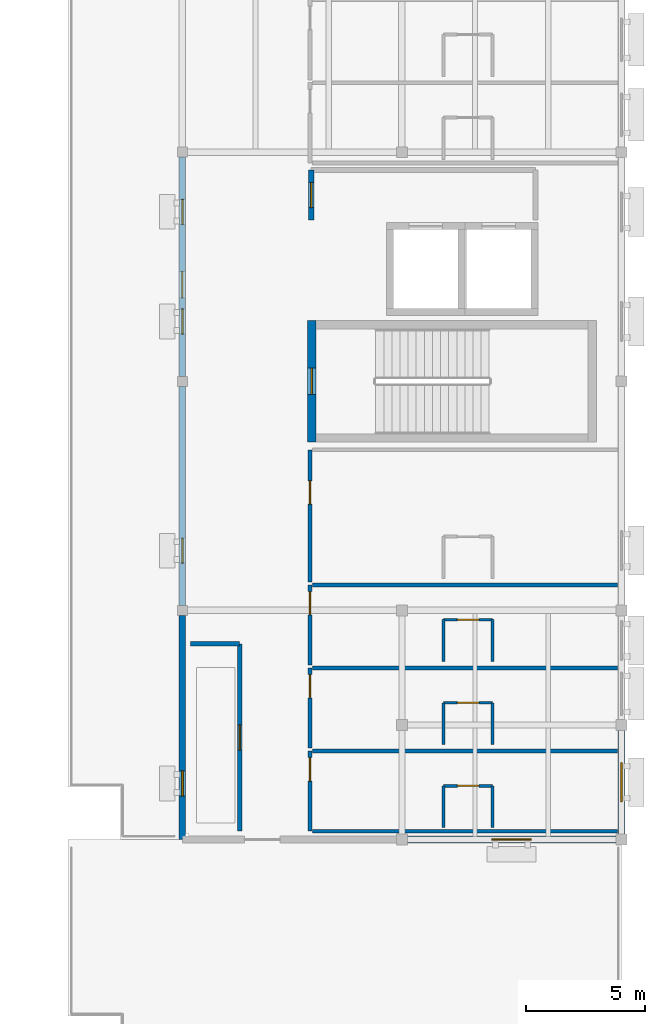
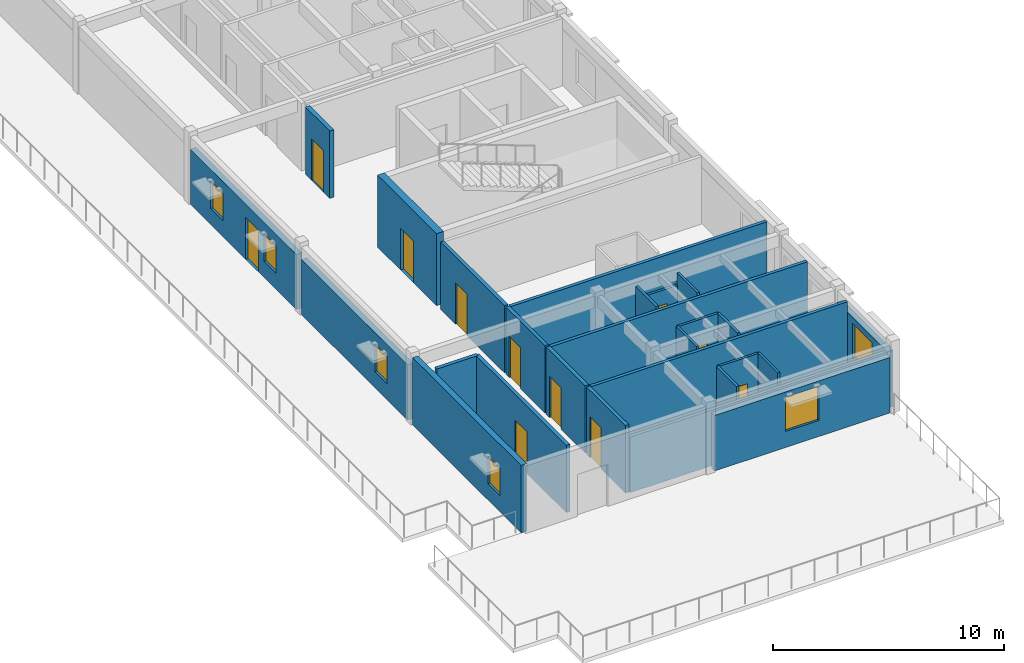
# One storey, part 5 of 18: 26 walls, 11 doors, 6 windows, 17 openings.
"""IFC4 building model written with IfcOpenShell, lengths in metres."""

import ifcopenshell
import ifcopenshell.guid

model = None  # the IFC model being written
_history = None  # IfcOwnerHistory: only IFC2X3 demands one
_inside = {}  # id of a spatial element -> (the spatial element, [elements in it])
_under = {}  # id of a project, library or spatial element -> (it, [spatial elements below it])
_declared = {}  # id of a project -> (the project, [libraries it declares])
_typed = {}  # id of a type object -> (the type object, [elements of that type])
_made_of = {}  # id of a material, layer set ... -> (it, [elements and type objects made of it])


def new_model(schema):
    """Start an empty IFC model of exactly this schema.

    Asked for "IFC4X3", IfcOpenShell would pick the latest addendum, in which some entities
    have other attributes; the version numbers below select the first issue.
    IFC2X3 requires an IfcOwnerHistory on every rooted entity: one is made here for all.
    """
    global model, _history
    if schema == "IFC4X3":
        model = ifcopenshell.file(schema_version=(4, 3, 0, 0))
    else:
        model = ifcopenshell.file(schema=schema)
    _inside.clear()
    _under.clear()
    _declared.clear()
    _typed.clear()
    _made_of.clear()
    _history = None
    if model.schema == "IFC2X3":
        org = make("IfcOrganization", Name="unknown")
        user = make(
            "IfcPersonAndOrganization",
            ThePerson=make("IfcPerson", FamilyName="unknown"),
            TheOrganization=org,
        )
        app = make(
            "IfcApplication",
            ApplicationDeveloper=org,
            Version="unknown",
            ApplicationFullName="unknown",
            ApplicationIdentifier="unknown",
        )
        _history = make(
            "IfcOwnerHistory",
            OwningUser=user,
            OwningApplication=app,
            ChangeAction="ADDED",
            CreationDate=0,
        )
    return model


def make(cls, **values):
    """One entity of the class cls with the attributes given. An attribute that is None is left unset."""
    return model.create_entity(
        cls, **{name: value for name, value in values.items() if value is not None}
    )


def rooted(cls, **values):
    """An entity with a GlobalId (a new one), such as an element, a storey or a relation."""
    return make(cls, GlobalId=ifcopenshell.guid.new(), OwnerHistory=_history, **values)


def si_unit(unit_type, name, prefix=None):
    """IfcSIUnit, for example si_unit("LENGTHUNIT", "METRE", prefix="MILLI")."""
    return make("IfcSIUnit", UnitType=unit_type, Prefix=prefix, Name=name)


def assignment(units):
    """IfcUnitAssignment: the units of a project."""
    return None if units is None else make("IfcUnitAssignment", Units=units)


def point(xyz):
    """IfcCartesianPoint."""
    return None if xyz is None else make("IfcCartesianPoint", Coordinates=xyz)


def direction(xyz):
    """IfcDirection."""
    return None if xyz is None else make("IfcDirection", DirectionRatios=xyz)


def frame(location, z_axis=None, x_axis=None):
    """IfcAxis2Placement3D, a coordinate frame: its origin and axes. An axis left out is left unset."""
    return make(
        "IfcAxis2Placement3D",
        Location=point(location),
        Axis=direction(z_axis),
        RefDirection=direction(x_axis),
    )


def frame_2d(location, x_axis=None):
    """IfcAxis2Placement2D, a coordinate frame in the plane: its origin and x axis."""
    return make(
        "IfcAxis2Placement2D", Location=point(location), RefDirection=direction(x_axis)
    )


def origin():
    """The frame at (0, 0, 0) with its axes left unset."""
    return frame((0.0, 0.0, 0.0))


def place(relative_to, where):
    """IfcLocalPlacement: puts the frame where relative to a parent placement (None: the world)."""
    return make(
        "IfcLocalPlacement", PlacementRelTo=relative_to, RelativePlacement=where
    )


def context(
    kind, dimensions, precision=None, world=None, true_north=None, identifier=None
):
    """IfcGeometricRepresentationContext, for example the 3D "Model" context."""
    return make(
        "IfcGeometricRepresentationContext",
        ContextIdentifier=identifier,
        ContextType=kind,
        CoordinateSpaceDimension=dimensions,
        Precision=precision,
        WorldCoordinateSystem=world,
        TrueNorth=true_north,
    )


def subcontext(parent, identifier, kind, view, scale=None):
    """IfcGeometricRepresentationSubContext, for example "Body" below "Model"."""
    return make(
        "IfcGeometricRepresentationSubContext",
        ContextIdentifier=identifier,
        ContextType=kind,
        ParentContext=parent,
        TargetScale=scale,
        TargetView=view,
    )


def project(units=None, contexts=None):
    """IfcProject with its units and contexts."""
    return rooted(
        "IfcProject",
        Name="project",
        RepresentationContexts=contexts,
        UnitsInContext=assignment(units),
    )


def spatial(cls, under=None, at=None, **own):
    """A site, building, storey or space (cls), placed at a placement, below another one or the project."""
    s = rooted(cls, ObjectPlacement=at, **own)
    if under is not None:
        _under.setdefault(under.id(), (under, []))[1].append(s)
    return s


def profile(cls, at=None, kind="AREA", **sizes):
    """A parametric profile (cls). Its sizes go by their IFC names, for example OverallWidth=200.0."""
    return make(cls, ProfileType=kind, Position=at, **sizes)


def rectangle(**sizes):
    """IfcRectangleProfileDef."""
    return profile("IfcRectangleProfileDef", **sizes)


def extrude(swept, where, along, depth):
    """IfcExtrudedAreaSolid: the profile swept, set in the frame where, extruded along a direction by depth."""
    return make(
        "IfcExtrudedAreaSolid",
        SweptArea=swept,
        Position=where,
        ExtrudedDirection=direction(along),
        Depth=depth,
    )


def shape(context_of_items, identifier, shape_type, items):
    """IfcShapeRepresentation: the items that make up one representation, for example the "Body"."""
    return make(
        "IfcShapeRepresentation",
        ContextOfItems=context_of_items,
        RepresentationIdentifier=identifier,
        RepresentationType=shape_type,
        Items=items,
    )


def material(Name=None, Category=None):
    """IfcMaterial."""
    return make("IfcMaterial", Name=Name, Category=Category)


def layer(
    of_material, thickness, ventilated=None, Name=None, Category=None, Priority=None
):
    """IfcMaterialLayer: one layer of a wall or slab, of a material (None: an air gap)."""
    return make(
        "IfcMaterialLayer",
        Material=of_material,
        LayerThickness=thickness,
        IsVentilated=ventilated,
        Name=Name,
        Category=Category,
        Priority=Priority,
    )


def layer_set(layers, Name=None):
    """IfcMaterialLayerSet."""
    return make("IfcMaterialLayerSet", MaterialLayers=layers, LayerSetName=Name)


def made_of(thing, what):
    """Note that an element or type object is made of a material, layer set ...; save() writes the relation."""
    if what is not None:
        _made_of.setdefault(what.id(), (what, []))[1].append(thing)
    return thing


def type_object(cls, material=None, **own):
    """A type object (cls), such as IfcWallType, which elements share."""
    return made_of(rooted(cls, **own), material)


def element(
    cls,
    number,
    at=None,
    inside=None,
    cuts=None,
    type_object=None,
    material=None,
    context=None,
    identifier="Body",
    shape_type=None,
    held_by="IfcProductDefinitionShape",
    body=None,
    shapes=None,
    **own,
):
    """One element of the class cls, such as IfcWall. Its Tag is "e" and its number.

    at: its placement. inside: the storey or other place that contains it. cuts: it is an
    opening in that element (IfcRelVoidsElement). A single representation is given by context,
    identifier, shape_type and body (its items); several are given by shapes. held_by: the class
    of the entity that holds the representations. save() writes the other relations.
    """
    e = rooted(cls, Tag="e%d" % number, ObjectPlacement=at, **own)
    if body is not None:
        shapes = [shape(context, identifier, shape_type, body)]
    if shapes is not None:
        e.Representation = make(held_by, Representations=shapes)
    if inside is not None:
        _inside.setdefault(inside.id(), (inside, []))[1].append(e)
    if cuts is not None:
        rooted(
            "IfcRelVoidsElement", RelatingBuildingElement=cuts, RelatedOpeningElement=e
        )
    if type_object is not None:
        _typed.setdefault(type_object.id(), (type_object, []))[1].append(e)
    return made_of(e, material)


def fill(opening, filler):
    """IfcRelFillsElement: the door or window that sits in an opening."""
    return rooted(
        "IfcRelFillsElement",
        RelatingOpeningElement=opening,
        RelatedBuildingElement=filler,
    )


def aggregate(whole, parts):
    """IfcRelAggregates: a whole, such as a stair, and the parts it consists of."""
    return rooted("IfcRelAggregates", RelatingObject=whole, RelatedObjects=parts)


def save(model, path):
    """Write the relations noted so far, then the file.

    IfcRelAggregates (storeys below a building ...), IfcRelContainedInSpatialStructure (elements
    in a storey), IfcRelDefinesByType, IfcRelAssociatesMaterial and IfcRelDeclares: one each for
    every whole, place, type object, material and project.
    """
    for whole, parts in _under.values():
        aggregate(whole, parts)
    for where, things in _inside.values():
        rooted(
            "IfcRelContainedInSpatialStructure",
            RelatedElements=things,
            RelatingStructure=where,
        )
    for kind, things in _typed.values():
        rooted("IfcRelDefinesByType", RelatedObjects=things, RelatingType=kind)
    for what, things in _made_of.values():
        rooted("IfcRelAssociatesMaterial", RelatedObjects=things, RelatingMaterial=what)
    for by, libraries in _declared.values():
        rooted("IfcRelDeclares", RelatingContext=by, RelatedDefinitions=libraries)
    model.write(path)


model = new_model("IFC4")

# Units and contexts
model_context = context("Model", 3, precision=1e-05, world=origin(), true_north=direction((0.0, 1.0)))
body_context = subcontext(model_context, "Body", "Model", "MODEL_VIEW")
ifc_project = project(units=[si_unit("LENGTHUNIT", "METRE"), si_unit("AREAUNIT", "SQUARE_METRE"), si_unit("VOLUMEUNIT", "CUBIC_METRE"), si_unit("PLANEANGLEUNIT", "RADIAN"), si_unit("MASSUNIT", "GRAM", prefix="KILO")], contexts=[model_context])

# Site, building, storey
site_placement = place(None, origin())
site = spatial("IfcSite", under=ifc_project, at=site_placement, CompositionType="ELEMENT")
building_placement = place(site_placement, origin())
building = spatial("IfcBuilding", under=site, at=building_placement, Name="Veldera Park Congress Hotel", CompositionType="ELEMENT")
storey_placement = place(building_placement, frame((0.0, 0.0, 31.39990234375)))
storey = spatial("IfcBuildingStorey", under=building, at=storey_placement, Name="L07", CompositionType="ELEMENT", Elevation=31.39990234375)

# Wall, opening, window
ifc_material_1 = material(Name="Cross-laminated timber CLT V2M1.1", Category="wood")
ifc_layer_1 = layer(ifc_material_1, 0.280029296875)
ifc_layer_set_1 = layer_set([ifc_layer_1], Name="Cross-laminated timber CLT V2M1.1")
wall_type_1 = type_object("IfcWallType", Name="EW-CLT280", PredefinedType="STANDARD", material=ifc_layer_set_1)
wall_1_placement = place(storey_placement, frame((75.02294921875, -28.199951171875, 0.0), z_axis=(0.0, 0.0, 1.0), x_axis=(1.0, 0.0, 0.0)))
wall_1 = element("IfcWall", 1, at=wall_1_placement, inside=storey, type_object=wall_type_1, Name="L07 Exterior Wall EW3-L07-0341", PredefinedType="STANDARD", context=body_context, shape_type="SweptSolid", body=[
    extrude(rectangle(XDim=8.754150390625, YDim=0.280029296875, at=frame_2d((4.376953125, 0.0))), origin(), (0.0, 0.0, 1.0), 2.93017578125),
])
opening_1_placement = place(wall_1_placement, frame((3.552001953125, 0.0, 0.85009765625)))
opening_1 = element("IfcOpeningElement", 2, at=opening_1_placement, cuts=wall_1, Name="Opening WIN-1650", PredefinedType="OPENING", context=body_context, shape_type="SweptSolid", body=[
    extrude(rectangle(XDim=1.64990234375, YDim=1.800048828125, at=frame_2d((0.824951171875, 0.89990234375))), frame((0.0, 0.152099609375, 0.0), z_axis=(0.0, -1.0, 0.0), x_axis=(1.0, 0.0, 0.0)), (0.0, 0.0, 1.0), 0.303955078125),
])
ifc_material_2 = material(Name="Low-E Triple Insulating Glass Unit (SHGC 0.22)", Category="glass")
window_type_1 = type_object("IfcWindowType", Name="WIN-1650", PartitioningType="SINGLE_PANEL", PredefinedType="WINDOW", material=ifc_material_2)
window_1_placement = place(opening_1_placement, origin())
window_1 = element("IfcWindow", 3, at=window_1_placement, inside=storey, type_object=window_type_1, Name="L07 Window WIN-1650 256", OverallHeight=1.800048828125, OverallWidth=1.64990234375, PartitioningType="SINGLE_PANEL", PredefinedType="WINDOW", context=body_context, shape_type="SweptSolid", body=[
    extrude(rectangle(XDim=1.64990234375, YDim=1.800048828125, at=frame_2d((0.824951171875, 0.89990234375))), frame((0.0, 0.030029296875, 0.0), z_axis=(0.0, -1.0, 0.0), x_axis=(1.0, 0.0, 0.0)), (0.0, 0.0, 1.0), 0.06005859375),
])
fill(opening_1, window_1)

wall_2_placement = place(storey_placement, frame((84.0, -27.97705078125, 0.0), z_axis=(0.0, 0.0, 1.0), x_axis=(0.0, 1.0, 0.0)))
wall_2 = element("IfcWall", 4, at=wall_2_placement, inside=storey, type_object=wall_type_1, Name="L07 Exterior Wall EW3-L07-0342", PredefinedType="STANDARD", context=body_context, shape_type="SweptSolid", body=[
    extrude(rectangle(XDim=4.35400390625, YDim=0.280029296875, at=frame_2d((2.177001953125, 0.0))), origin(), (0.0, 0.0, 1.0), 2.97021484375),
])
opening_2_placement = place(wall_2_placement, frame((1.35205078125, 0.0, 0.85009765625)))
opening_2 = element("IfcOpeningElement", 5, at=opening_2_placement, cuts=wall_2, Name="Opening WIN-1650", PredefinedType="OPENING", context=body_context, shape_type="SweptSolid", body=[
    extrude(rectangle(XDim=1.64990234375, YDim=1.800048828125, at=frame_2d((0.824951171875, 0.89990234375))), frame((0.0, 0.152099609375, 0.0), z_axis=(0.0, -1.0, 0.0), x_axis=(1.0, 0.0, 0.0)), (0.0, 0.0, 1.0), 0.303955078125),
])
window_2_placement = place(opening_2_placement, origin())
window_2 = element("IfcWindow", 6, at=window_2_placement, inside=storey, type_object=window_type_1, Name="L07 Window WIN-1650 257", OverallHeight=1.800048828125, OverallWidth=1.64990234375, PartitioningType="SINGLE_PANEL", PredefinedType="WINDOW", context=body_context, shape_type="SweptSolid", body=[
    extrude(rectangle(XDim=1.64990234375, YDim=1.800048828125, at=frame_2d((0.824951171875, 0.89990234375))), frame((0.0, 0.030029296875, 0.0), z_axis=(0.0, -1.0, 0.0), x_axis=(1.0, 0.0, 0.0)), (0.0, 0.0, 1.0), 0.06005859375),
])
fill(opening_2, window_2)

# Wall, openings, door, windows
wall_3_placement = place(storey_placement, frame((65.60009765625, 0.39208984375, 0.0), z_axis=(0.0, 0.0, 1.0), x_axis=(0.0, -1.0, 0.0)))
wall_3 = element("IfcWall", 7, at=wall_3_placement, inside=storey, type_object=wall_type_1, Name="L07 Exterior Wall EW3-L07-0366", PredefinedType="STANDARD", context=body_context, shape_type="SweptSolid", body=[
    extrude(rectangle(XDim=9.18408203125, YDim=0.280029296875, at=frame_2d((4.592041015625, 0.0))), origin(), (0.0, 0.0, 1.0), 2.91015625),
])
opening_3_placement = place(wall_3_placement, frame((4.7919921875, 0.0, 0.0)))
opening_3 = element("IfcOpeningElement", 8, at=opening_3_placement, cuts=wall_3, Name="Opening ED-TER110", PredefinedType="OPENING", context=body_context, shape_type="SweptSolid", body=[
    extrude(rectangle(XDim=1.10009765625, YDim=2.199951171875, at=frame_2d((0.550048828125, 1.10009765625))), frame((0.0, 0.152099609375, 0.0), z_axis=(0.0, -1.0, 0.0), x_axis=(1.0, 0.0, 0.0)), (0.0, 0.0, 1.0), 0.303955078125),
])
opening_4_placement = place(wall_3_placement, frame((1.77099609375, 0.0, 0.85009765625)))
opening_4 = element("IfcOpeningElement", 9, at=opening_4_placement, cuts=wall_3, Name="Opening WIN-1050", PredefinedType="OPENING", context=body_context, shape_type="SweptSolid", body=[
    extrude(rectangle(XDim=1.050048828125, YDim=1.449951171875, at=frame_2d((0.52490234375, 0.72509765625))), frame((0.0, 0.152099609375, 0.0), z_axis=(0.0, -1.0, 0.0), x_axis=(1.0, 0.0, 0.0)), (0.0, 0.0, 1.0), 0.303955078125),
])
opening_5_placement = place(wall_3_placement, frame((6.363037109375, 0.0, 0.85009765625)))
opening_5 = element("IfcOpeningElement", 10, at=opening_5_placement, cuts=wall_3, Name="Opening WIN-1050", PredefinedType="OPENING", context=body_context, shape_type="SweptSolid", body=[
    extrude(rectangle(XDim=1.050048828125, YDim=1.449951171875, at=frame_2d((0.52490234375, 0.72509765625))), frame((0.0, 0.152099609375, 0.0), z_axis=(0.0, -1.0, 0.0), x_axis=(1.0, 0.0, 0.0)), (0.0, 0.0, 1.0), 0.303955078125),
])
ifc_material_3 = material(Name="Anodised Aluminium Alloy 6063-T6", Category="aluminium")
door_type_1 = type_object("IfcDoorType", Name="ED-TER110", OperationType="NOTDEFINED", PredefinedType="DOOR", material=ifc_material_3)
door_1_placement = place(opening_3_placement, frame((1.10009765625, 0.0, 0.0), z_axis=(0.0, 0.0, 1.0), x_axis=(-1.0, 0.0, 0.0)))
door_1 = element("IfcDoor", 11, at=door_1_placement, inside=storey, type_object=door_type_1, Name="Exterior Door TD-L07-W (DR3-EXT-L07-0027)", OperationType="SINGLE_SWING_RIGHT", OverallHeight=2.199951171875, OverallWidth=1.10009765625, PredefinedType="DOOR", context=body_context, shape_type="SweptSolid", body=[
    extrude(rectangle(XDim=1.10009765625, YDim=2.199951171875, at=frame_2d((0.550048828125, 1.10009765625))), frame((0.0, 0.02490234375, 0.0), z_axis=(0.0, -1.0, 0.0), x_axis=(1.0, 0.0, 0.0)), (0.0, 0.0, 1.0), 0.050048828125),
])
fill(opening_3, door_1)
window_type_2 = type_object("IfcWindowType", Name="WIN-1050", PartitioningType="SINGLE_PANEL", PredefinedType="WINDOW", material=ifc_material_2)
window_3_placement = place(opening_4_placement, origin())
window_3 = element("IfcWindow", 12, at=window_3_placement, inside=storey, type_object=window_type_2, Name="L07 Window WIN-1050 278", OverallHeight=1.449951171875, OverallWidth=1.050048828125, PartitioningType="SINGLE_PANEL", PredefinedType="WINDOW", context=body_context, shape_type="SweptSolid", body=[
    extrude(rectangle(XDim=1.050048828125, YDim=1.449951171875, at=frame_2d((0.52490234375, 0.72509765625))), frame((0.0, 0.030029296875, 0.0), z_axis=(0.0, -1.0, 0.0), x_axis=(1.0, 0.0, 0.0)), (0.0, 0.0, 1.0), 0.06005859375),
])
fill(opening_4, window_3)
window_4_placement = place(opening_5_placement, origin())
window_4 = element("IfcWindow", 13, at=window_4_placement, inside=storey, type_object=window_type_2, Name="L07 Window WIN-1050 279", OverallHeight=1.449951171875, OverallWidth=1.050048828125, PartitioningType="SINGLE_PANEL", PredefinedType="WINDOW", context=body_context, shape_type="SweptSolid", body=[
    extrude(rectangle(XDim=1.050048828125, YDim=1.449951171875, at=frame_2d((0.52490234375, 0.72509765625))), frame((0.0, 0.030029296875, 0.0), z_axis=(0.0, -1.0, 0.0), x_axis=(1.0, 0.0, 0.0)), (0.0, 0.0, 1.0), 0.06005859375),
])
fill(opening_5, window_4)

# Wall, opening, window
wall_4_placement = place(storey_placement, frame((65.60009765625, -9.2080078125, 0.0), z_axis=(0.0, 0.0, 1.0), x_axis=(0.0, -1.0, 0.0)))
wall_4 = element("IfcWall", 14, at=wall_4_placement, inside=storey, type_object=wall_type_1, Name="L07 Exterior Wall EW3-L07-0367", PredefinedType="STANDARD", context=body_context, shape_type="SweptSolid", body=[
    extrude(rectangle(XDim=9.18408203125, YDim=0.280029296875, at=frame_2d((4.592041015625, 0.0))), origin(), (0.0, 0.0, 1.0), 2.91015625),
])
opening_6_placement = place(wall_4_placement, frame((6.363037109375, 0.0, 0.85009765625)))
opening_6 = element("IfcOpeningElement", 15, at=opening_6_placement, cuts=wall_4, Name="Opening WIN-1050", PredefinedType="OPENING", context=body_context, shape_type="SweptSolid", body=[
    extrude(rectangle(XDim=1.050048828125, YDim=1.449951171875, at=frame_2d((0.52490234375, 0.72509765625))), frame((0.0, 0.152099609375, 0.0), z_axis=(0.0, -1.0, 0.0), x_axis=(1.0, 0.0, 0.0)), (0.0, 0.0, 1.0), 0.303955078125),
])
window_5_placement = place(opening_6_placement, origin())
window_5 = element("IfcWindow", 16, at=window_5_placement, inside=storey, type_object=window_type_2, Name="L07 Window WIN-1050 280", OverallHeight=1.449951171875, OverallWidth=1.050048828125, PartitioningType="SINGLE_PANEL", PredefinedType="WINDOW", context=body_context, shape_type="SweptSolid", body=[
    extrude(rectangle(XDim=1.050048828125, YDim=1.449951171875, at=frame_2d((0.52490234375, 0.72509765625))), frame((0.0, 0.030029296875, 0.0), z_axis=(0.0, -1.0, 0.0), x_axis=(1.0, 0.0, 0.0)), (0.0, 0.0, 1.0), 0.06005859375),
])
fill(opening_6, window_5)

wall_5_placement = place(storey_placement, frame((65.60009765625, -18.80810546875, 0.0), z_axis=(0.0, 0.0, 1.0), x_axis=(0.0, -1.0, 0.0)))
wall_5 = element("IfcWall", 17, at=wall_5_placement, inside=storey, type_object=wall_type_1, Name="L07 Exterior Wall EW3-L07-0368", PredefinedType="STANDARD", context=body_context, shape_type="SweptSolid", body=[
    extrude(rectangle(XDim=9.391845703125, YDim=0.280029296875, at=frame_2d((4.69580078125, 0.0))), origin(), (0.0, 0.0, 1.0), 3.55517578125),
])
opening_7_placement = place(wall_5_placement, frame((6.51904296875, 0.0, 0.85009765625)))
opening_7 = element("IfcOpeningElement", 18, at=opening_7_placement, cuts=wall_5, Name="Opening WIN-1050", PredefinedType="OPENING", context=body_context, shape_type="SweptSolid", body=[
    extrude(rectangle(XDim=1.050048828125, YDim=1.449951171875, at=frame_2d((0.52490234375, 0.72509765625))), frame((0.0, 0.152099609375, 0.0), z_axis=(0.0, -1.0, 0.0), x_axis=(1.0, 0.0, 0.0)), (0.0, 0.0, 1.0), 0.303955078125),
])
window_6_placement = place(opening_7_placement, origin())
window_6 = element("IfcWindow", 19, at=window_6_placement, inside=storey, type_object=window_type_2, Name="L07 Window WIN-1050 281", OverallHeight=1.449951171875, OverallWidth=1.050048828125, PartitioningType="SINGLE_PANEL", PredefinedType="WINDOW", context=body_context, shape_type="SweptSolid", body=[
    extrude(rectangle(XDim=1.050048828125, YDim=1.449951171875, at=frame_2d((0.52490234375, 0.72509765625))), frame((0.0, 0.030029296875, 0.0), z_axis=(0.0, -1.0, 0.0), x_axis=(1.0, 0.0, 0.0)), (0.0, 0.0, 1.0), 0.06005859375),
])
fill(opening_7, window_6)

# Walls
ifc_material_4 = material(Name="Fire-Rated Gypsum Board on Cold-Formed Steel Studs", Category="steel")
ifc_layer_2 = layer(ifc_material_4, 0.1201171875)
ifc_layer_set_2 = layer_set([ifc_layer_2], Name="Fire-Rated Gypsum Board on Cold-Formed Steel Studs")
wall_type_2 = type_object("IfcWallType", Name="IW-BATH120", PredefinedType="PARTITIONING", material=ifc_layer_set_2)
for number, where, z_axis, x_axis, name in (
    (20, (76.550048828125, -27.699951171875, 0.0), (0.0, 0.0, 1.0), (0.0, 1.0, 0.0), "L07 Partition Wall IW3-L07-01377"),
    (21, (78.60009765625, -27.699951171875, 0.0), (0.0, 0.0, 1.0), (0.0, 1.0, 0.0), "L07 Partition Wall IW3-L07-01378"),
):
    element("IfcWall", number, at=place(storey_placement, frame(where, z_axis=z_axis, x_axis=x_axis)), inside=storey, type_object=wall_type_2, Name=name, PredefinedType="PARTITIONING", context=body_context, shape_type="SweptSolid", body=[
        extrude(rectangle(XDim=1.75, YDim=0.1201171875, at=frame_2d((0.875, 0.0))), origin(), (0.0, 0.0, 1.0), 3.55517578125),
    ])

# Wall, opening, door
wall_6_placement = place(storey_placement, frame((76.550048828125, -25.949951171875, 0.0), z_axis=(0.0, 0.0, 1.0), x_axis=(1.0, 0.0, 0.0)))
wall_6 = element("IfcWall", 22, at=wall_6_placement, inside=storey, type_object=wall_type_2, Name="L07 Partition Wall IW3-L07-01379", PredefinedType="PARTITIONING", context=body_context, shape_type="SweptSolid", body=[
    extrude(rectangle(XDim=2.050048828125, YDim=0.1201171875, at=frame_2d((1.02490234375, 0.0))), origin(), (0.0, 0.0, 1.0), 3.55517578125),
])
opening_8_placement = place(wall_6_placement, frame((0.574951171875, 0.0, 0.0)))
opening_8 = element("IfcOpeningElement", 23, at=opening_8_placement, cuts=wall_6, Name="Opening ID-BATH090", PredefinedType="OPENING", context=body_context, shape_type="SweptSolid", body=[
    extrude(rectangle(XDim=0.89990234375, YDim=2.14990234375, at=frame_2d((0.449951171875, 1.074951171875))), frame((0.0, 0.072021484375, 0.0), z_axis=(0.0, -1.0, 0.0), x_axis=(1.0, 0.0, 0.0)), (0.0, 0.0, 1.0), 0.14404296875),
])
ifc_material_5 = material(Name="Solid Core White Oak Architectural Door", Category="wood")
door_type_2 = type_object("IfcDoorType", Name="ID-BATH090", OperationType="NOTDEFINED", PredefinedType="DOOR", material=ifc_material_5)
door_2_placement = place(opening_8_placement, origin())
door_2 = element("IfcDoor", 24, at=door_2_placement, inside=storey, type_object=door_type_2, Name="L07 En-suite 217 Door ID3-L07-0573 (DR3-ID3-L07-0573)", OperationType="SINGLE_SWING_LEFT", OverallHeight=2.14990234375, OverallWidth=0.89990234375, PredefinedType="DOOR", context=body_context, shape_type="SweptSolid", body=[
    extrude(rectangle(XDim=0.89990234375, YDim=2.14990234375, at=frame_2d((0.449951171875, 1.074951171875))), frame((0.0, 0.02490234375, 0.0), z_axis=(0.0, -1.0, 0.0), x_axis=(1.0, 0.0, 0.0)), (0.0, 0.0, 1.0), 0.050048828125),
])
fill(opening_8, door_2)

# Walls
for number, where, z_axis, x_axis, name in (
    (25, (76.550048828125, -24.219970703125, 0.0), (0.0, 0.0, 1.0), (0.0, 1.0, 0.0), "L07 Partition Wall IW3-L07-01382"),
    (26, (78.60009765625, -24.219970703125, 0.0), (0.0, 0.0, 1.0), (0.0, 1.0, 0.0), "L07 Partition Wall IW3-L07-01383"),
):
    element("IfcWall", number, at=place(storey_placement, frame(where, z_axis=z_axis, x_axis=x_axis)), inside=storey, type_object=wall_type_2, Name=name, PredefinedType="PARTITIONING", context=body_context, shape_type="SweptSolid", body=[
        extrude(rectangle(XDim=1.75, YDim=0.1201171875, at=frame_2d((0.875, 0.0))), origin(), (0.0, 0.0, 1.0), 3.55517578125),
    ])

# Wall, opening, door
wall_7_placement = place(storey_placement, frame((76.550048828125, -22.469970703125, 0.0), z_axis=(0.0, 0.0, 1.0), x_axis=(1.0, 0.0, 0.0)))
wall_7 = element("IfcWall", 27, at=wall_7_placement, inside=storey, type_object=wall_type_2, Name="L07 Partition Wall IW3-L07-01384", PredefinedType="PARTITIONING", context=body_context, shape_type="SweptSolid", body=[
    extrude(rectangle(XDim=2.050048828125, YDim=0.1201171875, at=frame_2d((1.02490234375, 0.0))), origin(), (0.0, 0.0, 1.0), 3.55517578125),
])
opening_9_placement = place(wall_7_placement, frame((0.574951171875, 0.0, 0.0)))
opening_9 = element("IfcOpeningElement", 28, at=opening_9_placement, cuts=wall_7, Name="Opening ID-BATH090", PredefinedType="OPENING", context=body_context, shape_type="SweptSolid", body=[
    extrude(rectangle(XDim=0.89990234375, YDim=2.14990234375, at=frame_2d((0.449951171875, 1.074951171875))), frame((0.0, 0.072021484375, 0.0), z_axis=(0.0, -1.0, 0.0), x_axis=(1.0, 0.0, 0.0)), (0.0, 0.0, 1.0), 0.14404296875),
])
door_3_placement = place(opening_9_placement, origin())
door_3 = element("IfcDoor", 29, at=door_3_placement, inside=storey, type_object=door_type_2, Name="L07 En-suite 218 Door ID3-L07-0575 (DR3-ID3-L07-0575)", OperationType="SINGLE_SWING_LEFT", OverallHeight=2.14990234375, OverallWidth=0.89990234375, PredefinedType="DOOR", context=body_context, shape_type="SweptSolid", body=[
    extrude(rectangle(XDim=0.89990234375, YDim=2.14990234375, at=frame_2d((0.449951171875, 1.074951171875))), frame((0.0, 0.02490234375, 0.0), z_axis=(0.0, -1.0, 0.0), x_axis=(1.0, 0.0, 0.0)), (0.0, 0.0, 1.0), 0.050048828125),
])
fill(opening_9, door_3)

# Walls
for number, where, z_axis, x_axis, name in (
    (30, (76.550048828125, -20.739990234375, 0.0), (0.0, 0.0, 1.0), (0.0, 1.0, 0.0), "L07 Partition Wall IW3-L07-01387"),
    (31, (78.60009765625, -20.739990234375, 0.0), (0.0, 0.0, 1.0), (0.0, 1.0, 0.0), "L07 Partition Wall IW3-L07-01388"),
):
    element("IfcWall", number, at=place(storey_placement, frame(where, z_axis=z_axis, x_axis=x_axis)), inside=storey, type_object=wall_type_2, Name=name, PredefinedType="PARTITIONING", context=body_context, shape_type="SweptSolid", body=[
        extrude(rectangle(XDim=1.75, YDim=0.1201171875, at=frame_2d((0.875, 0.0))), origin(), (0.0, 0.0, 1.0), 3.55517578125),
    ])

# Wall, opening, door
wall_8_placement = place(storey_placement, frame((76.550048828125, -18.989990234375, 0.0), z_axis=(0.0, 0.0, 1.0), x_axis=(1.0, 0.0, 0.0)))
wall_8 = element("IfcWall", 32, at=wall_8_placement, inside=storey, type_object=wall_type_2, Name="L07 Partition Wall IW3-L07-01389", PredefinedType="PARTITIONING", context=body_context, shape_type="SweptSolid", body=[
    extrude(rectangle(XDim=2.050048828125, YDim=0.1201171875, at=frame_2d((1.02490234375, 0.0))), origin(), (0.0, 0.0, 1.0), 2.93017578125),
])
opening_10_placement = place(wall_8_placement, frame((0.574951171875, 0.0, 0.0)))
opening_10 = element("IfcOpeningElement", 33, at=opening_10_placement, cuts=wall_8, Name="Opening ID-BATH090", PredefinedType="OPENING", context=body_context, shape_type="SweptSolid", body=[
    extrude(rectangle(XDim=0.89990234375, YDim=2.14990234375, at=frame_2d((0.449951171875, 1.074951171875))), frame((0.0, 0.072021484375, 0.0), z_axis=(0.0, -1.0, 0.0), x_axis=(1.0, 0.0, 0.0)), (0.0, 0.0, 1.0), 0.14404296875),
])
door_4_placement = place(opening_10_placement, origin())
door_4 = element("IfcDoor", 34, at=door_4_placement, inside=storey, type_object=door_type_2, Name="L07 En-suite 219 Door ID3-L07-0577 (DR3-ID3-L07-0577)", OperationType="SINGLE_SWING_LEFT", OverallHeight=2.14990234375, OverallWidth=0.89990234375, PredefinedType="DOOR", context=body_context, shape_type="SweptSolid", body=[
    extrude(rectangle(XDim=0.89990234375, YDim=2.14990234375, at=frame_2d((0.449951171875, 1.074951171875))), frame((0.0, 0.02490234375, 0.0), z_axis=(0.0, -1.0, 0.0), x_axis=(1.0, 0.0, 0.0)), (0.0, 0.0, 1.0), 0.050048828125),
])
fill(opening_10, door_4)

ifc_layer_3 = layer(ifc_material_4, 0.179931640625)
ifc_layer_set_3 = layer_set([ifc_layer_3], Name="Fire-Rated Gypsum Board on Cold-Formed Steel Studs")
wall_type_3 = type_object("IfcWallType", Name="IW-CORR180", PredefinedType="PARTITIONING", material=ifc_layer_set_3)
wall_9_placement = place(storey_placement, frame((68.0, -27.85009765625, 0.0), z_axis=(0.0, 0.0, 1.0), x_axis=(0.0, 1.0, 0.0)))
wall_9 = element("IfcWall", 35, at=wall_9_placement, inside=storey, type_object=wall_type_3, Name="L07 Partition Wall IW3-L07-00300", PredefinedType="PARTITIONING", context=body_context, shape_type="SweptSolid", body=[
    extrude(rectangle(XDim=7.85009765625, YDim=0.179931640625, at=frame_2d((3.925048828125, 0.0))), origin(), (0.0, 0.0, 1.0), 3.55517578125),
])
opening_11_placement = place(wall_9_placement, frame((3.39990234375, 0.0, 0.0)))
opening_11 = element("IfcOpeningElement", 36, at=opening_11_placement, cuts=wall_9, Name="Opening ID-MEET105", PredefinedType="OPENING", context=body_context, shape_type="SweptSolid", body=[
    extrude(rectangle(XDim=1.050048828125, YDim=2.199951171875, at=frame_2d((0.52490234375, 1.10009765625))), frame((0.0, 0.10205078125, 0.0), z_axis=(0.0, -1.0, 0.0), x_axis=(1.0, 0.0, 0.0)), (0.0, 0.0, 1.0), 0.203857421875),
])
door_type_3 = type_object("IfcDoorType", Name="ID-MEET105", OperationType="NOTDEFINED", PredefinedType="DOOR", material=ifc_material_5)
door_5_placement = place(opening_11_placement, origin())
door_5 = element("IfcDoor", 37, at=door_5_placement, inside=storey, type_object=door_type_3, Name="L07 Sonoran Botanical Sky Salon Door ID3-L07-0111 (DR3-ID3-L07-0111)", OperationType="SINGLE_SWING_RIGHT", OverallHeight=2.199951171875, OverallWidth=1.050048828125, PredefinedType="DOOR", context=body_context, shape_type="SweptSolid", body=[
    extrude(rectangle(XDim=1.050048828125, YDim=2.199951171875, at=frame_2d((0.52490234375, 1.10009765625))), frame((0.0, 0.02490234375, 0.0), z_axis=(0.0, -1.0, 0.0), x_axis=(1.0, 0.0, 0.0)), (0.0, 0.0, 1.0), 0.050048828125),
])
fill(opening_11, door_5)

# Wall
wall_10_placement = place(storey_placement, frame((68.0, -20.0, 0.0), z_axis=(0.0, 0.0, 1.0), x_axis=(-1.0, 0.0, 0.0)))
element("IfcWall", 38, at=wall_10_placement, inside=storey, type_object=wall_type_3, Name="L07 Partition Wall IW3-L07-00301", PredefinedType="PARTITIONING", context=body_context, shape_type="SweptSolid", body=[
    extrude(rectangle(XDim=2.050048828125, YDim=0.179931640625, at=frame_2d((1.02490234375, 0.0))), origin(), (0.0, 0.0, 1.0), 3.55517578125),
])

# Wall, opening, door
wall_11_placement = place(storey_placement, frame((70.949951171875, -24.489990234375, 0.0), z_axis=(0.0, 0.0, 1.0), x_axis=(0.0, -1.0, 0.0)))
wall_11 = element("IfcWall", 39, at=wall_11_placement, inside=storey, type_object=wall_type_3, Name="L07 Corridor Wall IW3-L07-01374", PredefinedType="PARTITIONING", context=body_context, shape_type="SweptSolid", body=[
    extrude(rectangle(XDim=3.360107421875, YDim=0.179931640625, at=frame_2d((1.68017578125, 0.0))), origin(), (0.0, 0.0, 1.0), 3.55517578125),
])
opening_12_placement = place(wall_11_placement, frame((0.280029296875, 0.0, 0.0)))
opening_12 = element("IfcOpeningElement", 40, at=opening_12_placement, cuts=wall_11, Name="Opening ID-UNIT098", PredefinedType="OPENING", context=body_context, shape_type="SweptSolid", body=[
    extrude(rectangle(XDim=0.97998046875, YDim=2.179931640625, at=frame_2d((0.489990234375, 1.08984375))), frame((0.0, 0.10205078125, 0.0), z_axis=(0.0, -1.0, 0.0), x_axis=(1.0, 0.0, 0.0)), (0.0, 0.0, 1.0), 0.203857421875),
])
door_type_4 = type_object("IfcDoorType", Name="ID-UNIT098", OperationType="NOTDEFINED", PredefinedType="DOOR", material=ifc_material_5)
door_6_placement = place(opening_12_placement, origin())
door_6 = element("IfcDoor", 41, at=door_6_placement, inside=storey, type_object=door_type_4, Name="L07 Guestroom 217 Entry Door (DR3-UD3-L07-217)", OperationType="SINGLE_SWING_RIGHT", OverallHeight=2.179931640625, OverallWidth=0.97998046875, PredefinedType="DOOR", context=body_context, shape_type="SweptSolid", body=[
    extrude(rectangle(XDim=0.97998046875, YDim=2.179931640625, at=frame_2d((0.489990234375, 1.08984375))), frame((0.0, 0.02490234375, 0.0), z_axis=(0.0, -1.0, 0.0), x_axis=(1.0, 0.0, 0.0)), (0.0, 0.0, 1.0), 0.050048828125),
])
fill(opening_12, door_6)

wall_12_placement = place(storey_placement, frame((70.949951171875, -21.010009765625, 0.0), z_axis=(0.0, 0.0, 1.0), x_axis=(0.0, -1.0, 0.0)))
wall_12 = element("IfcWall", 42, at=wall_12_placement, inside=storey, type_object=wall_type_3, Name="L07 Corridor Wall IW3-L07-01380", PredefinedType="PARTITIONING", context=body_context, shape_type="SweptSolid", body=[
    extrude(rectangle(XDim=3.360107421875, YDim=0.179931640625, at=frame_2d((1.68017578125, 0.0))), origin(), (0.0, 0.0, 1.0), 3.55517578125),
])
opening_13_placement = place(wall_12_placement, frame((0.280029296875, 0.0, 0.0)))
opening_13 = element("IfcOpeningElement", 43, at=opening_13_placement, cuts=wall_12, Name="Opening ID-UNIT098", PredefinedType="OPENING", context=body_context, shape_type="SweptSolid", body=[
    extrude(rectangle(XDim=0.97998046875, YDim=2.179931640625, at=frame_2d((0.489990234375, 1.08984375))), frame((0.0, 0.10205078125, 0.0), z_axis=(0.0, -1.0, 0.0), x_axis=(1.0, 0.0, 0.0)), (0.0, 0.0, 1.0), 0.203857421875),
])
door_7_placement = place(opening_13_placement, origin())
door_7 = element("IfcDoor", 44, at=door_7_placement, inside=storey, type_object=door_type_4, Name="L07 Guestroom 218 Entry Door (DR3-UD3-L07-218)", OperationType="SINGLE_SWING_RIGHT", OverallHeight=2.179931640625, OverallWidth=0.97998046875, PredefinedType="DOOR", context=body_context, shape_type="SweptSolid", body=[
    extrude(rectangle(XDim=0.97998046875, YDim=2.179931640625, at=frame_2d((0.489990234375, 1.08984375))), frame((0.0, 0.02490234375, 0.0), z_axis=(0.0, -1.0, 0.0), x_axis=(1.0, 0.0, 0.0)), (0.0, 0.0, 1.0), 0.050048828125),
])
fill(opening_13, door_7)

wall_13_placement = place(storey_placement, frame((70.949951171875, -17.530029296875, 0.0), z_axis=(0.0, 0.0, 1.0), x_axis=(0.0, -1.0, 0.0)))
wall_13 = element("IfcWall", 45, at=wall_13_placement, inside=storey, type_object=wall_type_3, Name="L07 Corridor Wall IW3-L07-01385", PredefinedType="PARTITIONING", context=body_context, shape_type="SweptSolid", body=[
    extrude(rectangle(XDim=3.35986328125, YDim=0.179931640625, at=frame_2d((1.679931640625, 0.0))), origin(), (0.0, 0.0, 1.0), 3.55517578125),
])
opening_14_placement = place(wall_13_placement, frame((0.280029296875, 0.0, 0.0)))
opening_14 = element("IfcOpeningElement", 46, at=opening_14_placement, cuts=wall_13, Name="Opening ID-UNIT098", PredefinedType="OPENING", context=body_context, shape_type="SweptSolid", body=[
    extrude(rectangle(XDim=0.97998046875, YDim=2.179931640625, at=frame_2d((0.489990234375, 1.08984375))), frame((0.0, 0.10205078125, 0.0), z_axis=(0.0, -1.0, 0.0), x_axis=(1.0, 0.0, 0.0)), (0.0, 0.0, 1.0), 0.203857421875),
])
door_8_placement = place(opening_14_placement, origin())
door_8 = element("IfcDoor", 47, at=door_8_placement, inside=storey, type_object=door_type_4, Name="L07 Guestroom 219 Entry Door (DR3-UD3-L07-219)", OperationType="SINGLE_SWING_RIGHT", OverallHeight=2.179931640625, OverallWidth=0.97998046875, PredefinedType="DOOR", context=body_context, shape_type="SweptSolid", body=[
    extrude(rectangle(XDim=0.97998046875, YDim=2.179931640625, at=frame_2d((0.489990234375, 1.08984375))), frame((0.0, 0.02490234375, 0.0), z_axis=(0.0, -1.0, 0.0), x_axis=(1.0, 0.0, 0.0)), (0.0, 0.0, 1.0), 0.050048828125),
])
fill(opening_14, door_8)

wall_14_placement = place(storey_placement, frame((70.949951171875, -11.8701171875, 0.0), z_axis=(0.0, 0.0, 1.0), x_axis=(0.0, -1.0, 0.0)))
wall_14 = element("IfcWall", 48, at=wall_14_placement, inside=storey, type_object=wall_type_3, Name="L07 Corridor Wall IW3-L07-01390", PredefinedType="PARTITIONING", context=body_context, shape_type="SweptSolid", body=[
    extrude(rectangle(XDim=5.539794921875, YDim=0.179931640625, at=frame_2d((2.77001953125, 0.0))), origin(), (0.0, 0.0, 1.0), 3.55517578125),
])
opening_15_placement = place(wall_14_placement, frame((1.300048828125, 0.0, 0.0)))
opening_15 = element("IfcOpeningElement", 49, at=opening_15_placement, cuts=wall_14, Name="Opening ID-UNIT098", PredefinedType="OPENING", context=body_context, shape_type="SweptSolid", body=[
    extrude(rectangle(XDim=0.97998046875, YDim=2.179931640625, at=frame_2d((0.489990234375, 1.08984375))), frame((0.0, 0.10205078125, 0.0), z_axis=(0.0, -1.0, 0.0), x_axis=(1.0, 0.0, 0.0)), (0.0, 0.0, 1.0), 0.203857421875),
])
door_9_placement = place(opening_15_placement, origin())
door_9 = element("IfcDoor", 50, at=door_9_placement, inside=storey, type_object=door_type_4, Name="L07 Guestroom 220 Entry Door (DR3-UD3-L07-220)", OperationType="SINGLE_SWING_RIGHT", OverallHeight=2.179931640625, OverallWidth=0.97998046875, PredefinedType="DOOR", context=body_context, shape_type="SweptSolid", body=[
    extrude(rectangle(XDim=0.97998046875, YDim=2.179931640625, at=frame_2d((0.489990234375, 1.08984375))), frame((0.0, 0.02490234375, 0.0), z_axis=(0.0, -1.0, 0.0), x_axis=(1.0, 0.0, 0.0)), (0.0, 0.0, 1.0), 0.050048828125),
])
fill(opening_15, door_9)

ifc_material_6 = material(Name="Concrete f'c 40 MPa (5,800 psi)", Category="concrete")
ifc_layer_4 = layer(ifc_material_6, 0.219970703125)
ifc_layer_set_4 = layer_set([ifc_layer_4], Name="Concrete f'c 40 MPa (5,800 psi)")
wall_type_4 = type_object("IfcWallType", Name="IW-FIRE220", PredefinedType="STANDARD", material=ifc_layer_set_4)
wall_15_placement = place(storey_placement, frame((71.0, -0.14990234375, 0.0), z_axis=(0.0, 0.0, 1.0), x_axis=(0.0, -1.0, 0.0)))
wall_15 = element("IfcWall", 51, at=wall_15_placement, inside=storey, type_object=wall_type_4, Name="L07 Partition Wall IW3-L07-00289", PredefinedType="STANDARD", context=body_context, shape_type="SweptSolid", body=[
    extrude(rectangle(XDim=2.10009765625, YDim=0.219970703125, at=frame_2d((1.050048828125, 0.0))), origin(), (0.0, 0.0, 1.0), 3.55517578125),
])
opening_16_placement = place(wall_15_placement, frame((0.52490234375, 0.0, 0.0)))
opening_16 = element("IfcOpeningElement", 52, at=opening_16_placement, cuts=wall_15, Name="Opening ID-MEET105", PredefinedType="OPENING", context=body_context, shape_type="SweptSolid", body=[
    extrude(rectangle(XDim=1.050048828125, YDim=2.199951171875, at=frame_2d((0.52490234375, 1.10009765625))), frame((0.0, 0.1220703125, 0.0), z_axis=(0.0, -1.0, 0.0), x_axis=(1.0, 0.0, 0.0)), (0.0, 0.0, 1.0), 0.243896484375),
])
door_10_placement = place(opening_16_placement, origin())
door_10 = element("IfcDoor", 53, at=door_10_placement, inside=storey, type_object=door_type_3, Name="L07 Service Lift Lobby Door ID3-L07-0107 (DR3-ID3-L07-0107)", OperationType="SINGLE_SWING_RIGHT", OverallHeight=2.199951171875, OverallWidth=1.050048828125, PredefinedType="DOOR", context=body_context, shape_type="SweptSolid", body=[
    extrude(rectangle(XDim=1.050048828125, YDim=2.199951171875, at=frame_2d((0.52490234375, 1.10009765625))), frame((0.0, 0.02490234375, 0.0), z_axis=(0.0, -1.0, 0.0), x_axis=(1.0, 0.0, 0.0)), (0.0, 0.0, 1.0), 0.050048828125),
])
fill(opening_16, door_10)

# Walls
ifc_layer_5 = layer(ifc_material_1, 0.159912109375)
ifc_layer_set_5 = layer_set([ifc_layer_5], Name="Cross-laminated timber CLT V2M1.1")
wall_type_5 = type_object("IfcWallType", Name="IW-UNIT160", PredefinedType="PARTITIONING", material=ifc_layer_set_5)
wall_16_placement = place(storey_placement, frame((71.050048828125, -27.85009765625, 0.0), z_axis=(0.0, 0.0, 1.0), x_axis=(1.0, 0.0, 0.0)))
element("IfcWall", 54, at=wall_16_placement, inside=storey, type_object=wall_type_5, Name="L07 Partition Wall IW3-L07-01375", PredefinedType="PARTITIONING", context=body_context, shape_type="SweptSolid", body=[
    extrude(rectangle(XDim=12.7900390625, YDim=0.159912109375, at=frame_2d((6.39501953125, 0.0))), origin(), (0.0, 0.0, 1.0), 2.93017578125),
])
for number, where, z_axis, x_axis, name in (
    (55, (71.050048828125, -24.489990234375, 0.0), (0.0, 0.0, 1.0), (1.0, 0.0, 0.0), "L07 Partition Wall IW3-L07-01376"),
    (56, (71.050048828125, -21.010009765625, 0.0), (0.0, 0.0, 1.0), (1.0, 0.0, 0.0), "L07 Partition Wall IW3-L07-01381"),
    (57, (71.050048828125, -17.530029296875, 0.0), (0.0, 0.0, 1.0), (1.0, 0.0, 0.0), "L07 Partition Wall IW3-L07-01386"),
):
    element("IfcWall", number, at=place(storey_placement, frame(where, z_axis=z_axis, x_axis=x_axis)), inside=storey, type_object=wall_type_5, Name=name, PredefinedType="PARTITIONING", context=body_context, shape_type="SweptSolid", body=[
        extrude(rectangle(XDim=12.7900390625, YDim=0.159912109375, at=frame_2d((6.39501953125, 0.0))), origin(), (0.0, 0.0, 1.0), 3.55517578125),
    ])

# Wall, opening, door
ifc_layer_6 = layer(ifc_material_6, 0.35009765625)
ifc_layer_set_6 = layer_set([ifc_layer_6], Name="Concrete f'c 40 MPa (5,800 psi)")
wall_type_6 = type_object("IfcWallType", Name="SW-CORE350", PredefinedType="SHEAR", material=ifc_layer_set_6)
wall_17_placement = place(storey_placement, frame((71.02490234375, -6.449951171875, 0.0), z_axis=(0.0, 0.0, 1.0), x_axis=(0.0, -1.0, 0.0)))
wall_17 = element("IfcWall", 58, at=wall_17_placement, inside=storey, type_object=wall_type_6, Name="Stair ST2 Core Wall L07-W", PredefinedType="SHEAR", context=body_context, shape_type="SweptSolid", body=[
    extrude(rectangle(XDim=5.10009765625, YDim=0.35009765625, at=frame_2d((2.550048828125, 0.0))), origin(), (0.0, 0.0, 1.0), 3.800048828125),
])
opening_17_placement = place(wall_17_placement, frame((2.0, 0.0, 0.0)))
opening_17 = element("IfcOpeningElement", 59, at=opening_17_placement, cuts=wall_17, Name="Opening ID-STAIR110", PredefinedType="OPENING", context=body_context, shape_type="SweptSolid", body=[
    extrude(rectangle(XDim=1.10009765625, YDim=2.199951171875, at=frame_2d((0.550048828125, 1.10009765625))), frame((0.0, 0.18701171875, 0.0), z_axis=(0.0, -1.0, 0.0), x_axis=(1.0, 0.0, 0.0)), (0.0, 0.0, 1.0), 0.3740234375),
])
ifc_material_7 = material(Name="Hollow Metal Fire-Rated Steel Door", Category="steel")
door_type_5 = type_object("IfcDoorType", Name="ID-STAIR110", OperationType="NOTDEFINED", PredefinedType="DOOR", material=ifc_material_7)
door_11_placement = place(opening_17_placement, origin())
door_11 = element("IfcDoor", 60, at=door_11_placement, inside=storey, type_object=door_type_5, Name="L07 Stair ST2 Fire Door (DR3-SD-ST2-L07)", OperationType="SINGLE_SWING_RIGHT", OverallHeight=2.199951171875, OverallWidth=1.10009765625, PredefinedType="DOOR", context=body_context, shape_type="SweptSolid", body=[
    extrude(rectangle(XDim=1.10009765625, YDim=2.199951171875, at=frame_2d((0.550048828125, 1.10009765625))), frame((0.0, 0.02490234375, 0.0), z_axis=(0.0, -1.0, 0.0), x_axis=(1.0, 0.0, 0.0)), (0.0, 0.0, 1.0), 0.050048828125),
])
fill(opening_17, door_11)

save(model, "model.ifc")
